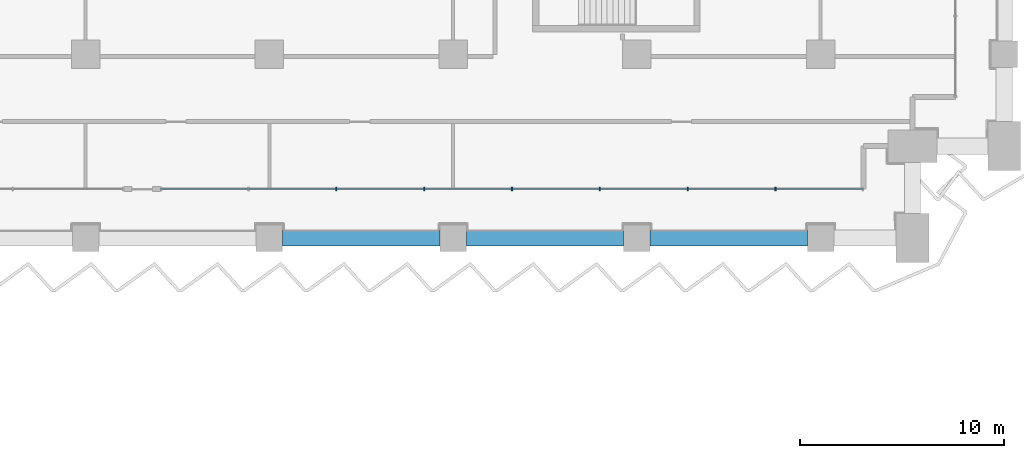
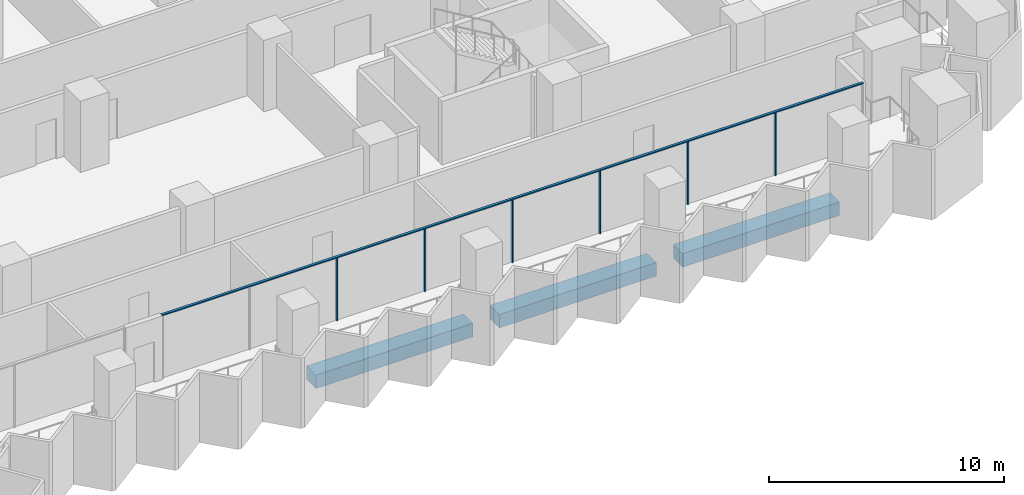
# One storey, part 5 of 29: 7 members, 3 beams, 1 element without a shape of its own.
"""IFC4 building model written with IfcOpenShell, lengths in metres."""

from ifc_helpers import new_model, si_unit, direction, frame, origin, origin_2d, place, context, subcontext, project, spatial, rectangle, extrude, material, material_profile, profile_set, type_object, element, aggregate, save


model = new_model("IFC4")

# Units and contexts
model_context = context("Model", 3, precision=1e-05, world=origin(), true_north=direction((0.0, 1.0)))
body_context = subcontext(model_context, "Body", "Model", "MODEL_VIEW")
ifc_project = project(units=[si_unit("LENGTHUNIT", "METRE"), si_unit("AREAUNIT", "SQUARE_METRE"), si_unit("VOLUMEUNIT", "CUBIC_METRE"), si_unit("PLANEANGLEUNIT", "RADIAN"), si_unit("MASSUNIT", "GRAM", prefix="KILO")], contexts=[model_context])

# Site, building, storey
site_placement = place(None, origin())
site = spatial("IfcSite", under=ifc_project, at=site_placement, CompositionType="ELEMENT")
building_placement = place(site_placement, origin())
building = spatial("IfcBuilding", under=site, at=building_placement, Name="Hunhe Ridgeline Campus", CompositionType="ELEMENT")
storey_placement = place(building_placement, frame((0.0, 0.0, 46.89990234375)))
storey = spatial("IfcBuildingStorey", under=building, at=storey_placement, Name="L10", CompositionType="ELEMENT", Elevation=46.89990234375)

# Curtain wall, members
ifc_material_1 = material(Name="Aluminium 6063", Category="aluminium")
curtain_wall_type = type_object("IfcCurtainWallType", Name="Curtain wall CW-1", PredefinedType="NOTDEFINED", material=ifc_material_1)
curtain_wall_placement = place(storey_placement, origin())
curtain_wall = element("IfcCurtainWall", 1, at=curtain_wall_placement, inside=storey, type_object=curtain_wall_type, Name="Curtain wall 13", PredefinedType="NOTDEFINED")
ifc_material_profile_1 = material_profile(ifc_material_1, rectangle(XDim=0.159912109375, YDim=0.06005859375, at=origin_2d()))
ifc_profile_set_1 = profile_set([ifc_material_profile_1], Name="Aluminium 6063")
member_type_1 = type_object("IfcMemberType", Name="CW-1 aluminium mullion", PredefinedType="MULLION", material=ifc_profile_set_1)
member_1_placement = place(storey_placement, frame((66.280517578125, 56.40087890625, 0.0), z_axis=(0.0, 0.0, 1.0), x_axis=(-3.602063e-06, 0.999999999994, 0.0)))
member_1 = element("IfcMember", 2, at=member_1_placement, type_object=member_type_1, Name="CW-1 mullion 3", PredefinedType="MULLION", context=body_context, shape_type="SweptSolid", body=[
    extrude(rectangle(XDim=0.159912109375, YDim=0.06005859375, at=origin_2d()), origin(), (0.0, 0.0, 1.0), 3.239990234375),
])
member_2_placement = place(storey_placement, frame((70.58349609375, 56.40087890625, 0.0), z_axis=(0.0, 0.0, 1.0), x_axis=(-3.602063e-06, 0.999999999994, 0.0)))
member_2 = element("IfcMember", 3, at=member_2_placement, type_object=member_type_1, Name="CW-1 mullion 4", PredefinedType="MULLION", context=body_context, shape_type="SweptSolid", body=[
    extrude(rectangle(XDim=0.159912109375, YDim=0.06005859375, at=origin_2d()), origin(), (0.0, 0.0, 1.0), 3.239990234375),
])
member_3_placement = place(storey_placement, frame((74.88671875, 56.40087890625, 0.0), z_axis=(0.0, 0.0, 1.0), x_axis=(-3.602063e-06, 0.999999999994, 0.0)))
member_3 = element("IfcMember", 4, at=member_3_placement, type_object=member_type_1, Name="CW-1 mullion 5", PredefinedType="MULLION", context=body_context, shape_type="SweptSolid", body=[
    extrude(rectangle(XDim=0.159912109375, YDim=0.06005859375, at=origin_2d()), origin(), (0.0, 0.0, 1.0), 3.239990234375),
])
member_4_placement = place(storey_placement, frame((79.189697265625, 56.40087890625, 0.0), z_axis=(0.0, 0.0, 1.0), x_axis=(-3.602063e-06, 0.999999999994, 0.0)))
member_4 = element("IfcMember", 5, at=member_4_placement, type_object=member_type_1, Name="CW-1 mullion 6", PredefinedType="MULLION", context=body_context, shape_type="SweptSolid", body=[
    extrude(rectangle(XDim=0.159912109375, YDim=0.06005859375, at=origin_2d()), origin(), (0.0, 0.0, 1.0), 3.239990234375),
])
member_5_placement = place(storey_placement, frame((83.492919921875, 56.40087890625, 0.0), z_axis=(0.0, 0.0, 1.0), x_axis=(-3.602063e-06, 0.999999999994, 0.0)))
member_5 = element("IfcMember", 6, at=member_5_placement, type_object=member_type_1, Name="CW-1 mullion 7", PredefinedType="MULLION", context=body_context, shape_type="SweptSolid", body=[
    extrude(rectangle(XDim=0.159912109375, YDim=0.06005859375, at=origin_2d()), origin(), (0.0, 0.0, 1.0), 3.239990234375),
])
member_6_placement = place(storey_placement, frame((87.7958984375, 56.40087890625, 0.0), z_axis=(0.0, 0.0, 1.0), x_axis=(-3.602063e-06, 0.999999999994, 0.0)))
member_6 = element("IfcMember", 7, at=member_6_placement, type_object=member_type_1, Name="CW-1 mullion 8", PredefinedType="MULLION", context=body_context, shape_type="SweptSolid", body=[
    extrude(rectangle(XDim=0.159912109375, YDim=0.06005859375, at=origin_2d()), origin(), (0.0, 0.0, 1.0), 3.239990234375),
])
ifc_material_profile_2 = material_profile(ifc_material_1, rectangle(XDim=0.1201171875, YDim=0.06005859375, at=origin_2d()))
ifc_profile_set_2 = profile_set([ifc_material_profile_2], Name="Aluminium 6063")
member_type_2 = type_object("IfcMemberType", Name="CW-1 aluminium transom", PredefinedType="USERDEFINED", material=ifc_profile_set_2)
member_7_placement = place(storey_placement, frame((57.67431640625, 56.40087890625, 3.27001953125), z_axis=(1.0, 0.0, 0.0), x_axis=(0.0, 1.0, 0.0)))
member_7 = element("IfcMember", 8, at=member_7_placement, type_object=member_type_2, Name="CW-1 transom 1", ObjectType="TRANSOM", PredefinedType="USERDEFINED", context=body_context, shape_type="SweptSolid", body=[
    extrude(rectangle(XDim=0.1201171875, YDim=0.06005859375, at=origin_2d()), origin(), (0.0, 0.0, 1.0), 34.4248046875),
])
aggregate(curtain_wall, [member_7, member_1, member_2, member_3, member_4, member_5, member_6])

# Beams
ifc_material_2 = material(Name="Concrete C60", Category="concrete")
ifc_material_profile_3 = material_profile(ifc_material_2, rectangle(XDim=0.800048828125, YDim=0.699951171875, at=origin_2d()))
ifc_profile_set_3 = profile_set([ifc_material_profile_3], Name="Concrete C60")
beam_type = type_object("IfcBeamType", Name="RC spandrel beam 800x700 Concrete C60", PredefinedType="SPANDREL", material=ifc_profile_set_3)
for number, where, z_axis, x_axis, name in (
    (9, (63.64990234375, 54.0, -0.599853515625), (1.0, 0.0, 0.0), (0.0, 1.0, 0.0), "Spandrel beam B1-14 L10"),
    (10, (72.64990234375, 54.0, -0.599853515625), (1.0, 0.0, 0.0), (0.0, 1.0, 0.0), "Spandrel beam B1-15 L10"),
    (11, (81.64990234375, 54.0, -0.599853515625), (1.0, 0.0, 0.0), (0.0, 1.0, 0.0), "Spandrel beam B1-16 L10"),
):
    element("IfcBeam", number, at=place(storey_placement, frame(where, z_axis=z_axis, x_axis=x_axis)), inside=storey, type_object=beam_type, Name=name, PredefinedType="SPANDREL", context=body_context, shape_type="SweptSolid", body=[
        extrude(rectangle(XDim=0.800048828125, YDim=0.699951171875, at=origin_2d()), origin(), (0.0, 0.0, 1.0), 7.7001953125),
    ])

save(model, "model.ifc")
